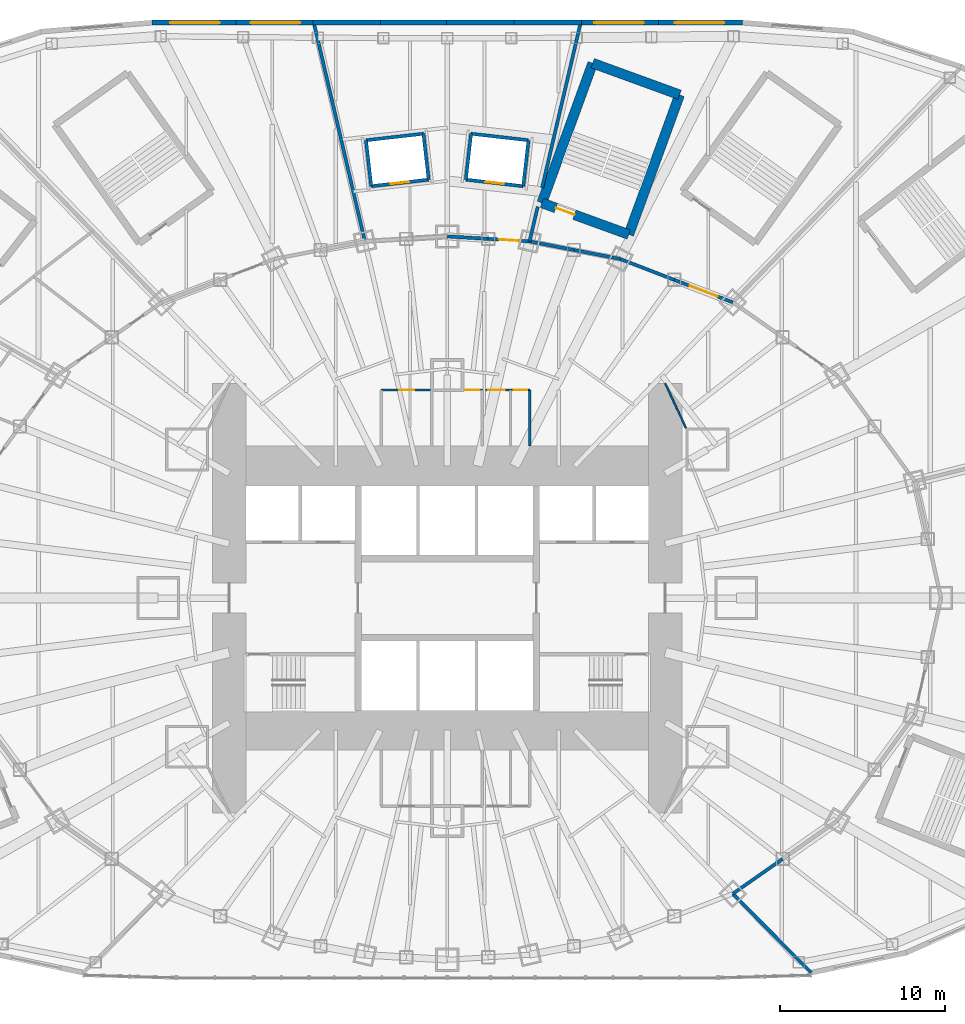
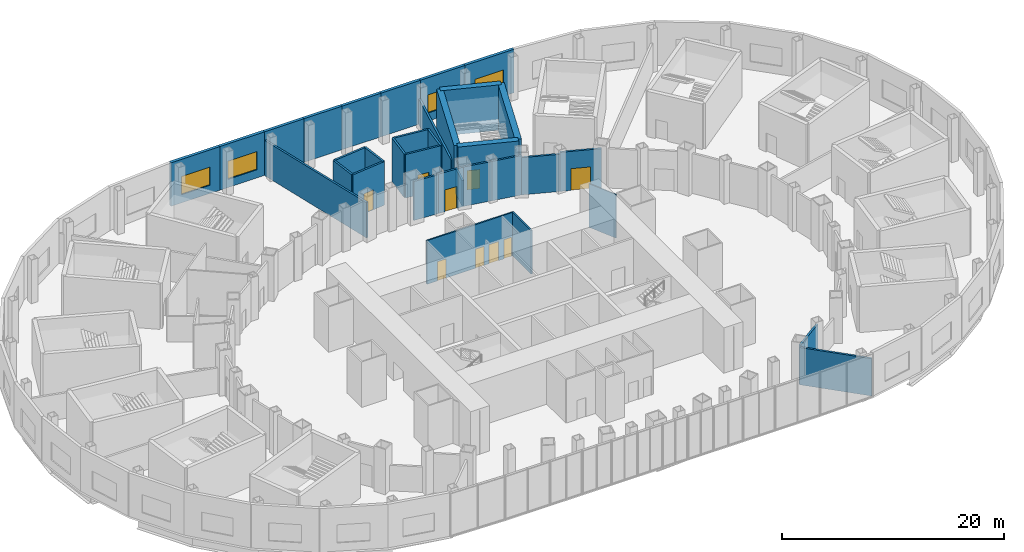
# One storey, part 16 of 73: 34 walls, 9 doors, 4 windows, 13 openings.
"""IFC4 building model written with IfcOpenShell, lengths in metres."""

from ifc_helpers import new_model, si_unit, direction, frame, frame_2d, origin, place, context, subcontext, project, spatial, rectangle, extrude, material, layer, layer_set, type_object, element, fill, save


model = new_model("IFC4")

# Units and contexts
model_context = context("Model", 3, precision=1e-05, world=origin(), true_north=direction((0.0, 1.0)))
body_context = subcontext(model_context, "Body", "Model", "MODEL_VIEW")
ifc_project = project(units=[si_unit("LENGTHUNIT", "METRE"), si_unit("AREAUNIT", "SQUARE_METRE"), si_unit("VOLUMEUNIT", "CUBIC_METRE"), si_unit("PLANEANGLEUNIT", "RADIAN"), si_unit("MASSUNIT", "GRAM", prefix="KILO")], contexts=[model_context])

# Site, building, storey
site_placement = place(None, origin())
site = spatial("IfcSite", under=ifc_project, at=site_placement, CompositionType="ELEMENT")
building_placement = place(site_placement, origin())
building = spatial("IfcBuilding", under=site, at=building_placement, Name="Lantaw Convention Tower", CompositionType="ELEMENT")
storey_placement = place(building_placement, frame((0.0, 0.0, 27.0)))
storey = spatial("IfcBuildingStorey", under=building, at=storey_placement, Name="L04", CompositionType="ELEMENT", Elevation=27.0)

# Walls
ifc_material_1 = material(Name="Concrete blockwork, fire rated", Category="masonry")
ifc_layer_1 = layer(ifc_material_1, 0.199951171875)
ifc_layer_set_1 = layer_set([ifc_layer_1], Name="Lift shaft wall 200 EI 120")
wall_type_1 = type_object("IfcWallType", Name="Lift shaft wall 200 EI 120", PredefinedType="SOLIDWALL", material=ifc_layer_set_1)
wall_1_placement = place(storey_placement, frame((4.602783203125, 24.939208984375, 0.0), z_axis=(0.0, 0.0, 1.0), x_axis=(0.113177712989, 0.993574760792, 0.0)))
element("IfcWall", 1, at=wall_1_placement, inside=storey, type_object=wall_type_1, Name="Lift shaft wall", PredefinedType="SOLIDWALL", context=body_context, shape_type="SweptSolid", body=[
    extrude(rectangle(XDim=2.800048828125, YDim=0.199951171875, at=frame_2d((1.39990234375, 0.0))), origin(), (0.0, 0.0, 1.0), 4.800048828125),
])
wall_2_placement = place(storey_placement, frame((4.919677734375, 27.72119140625, 0.0), z_axis=(0.0, 0.0, 1.0), x_axis=(-0.993571061716, 0.113210182053, 0.0)))
element("IfcWall", 2, at=wall_2_placement, inside=storey, type_object=wall_type_1, Name="Lift shaft wall", PredefinedType="SOLIDWALL", context=body_context, shape_type="SweptSolid", body=[
    extrude(rectangle(XDim=3.5, YDim=0.199951171875, at=frame_2d((1.75, 0.0))), origin(), (0.0, 0.0, 1.0), 4.800048828125),
])
wall_3_placement = place(storey_placement, frame((1.442138671875, 28.117431640625, 0.0), z_axis=(0.0, 0.0, 1.0), x_axis=(-0.113177712989, -0.993574760792, 0.0)))
element("IfcWall", 3, at=wall_3_placement, inside=storey, type_object=wall_type_1, Name="Lift shaft wall", PredefinedType="SOLIDWALL", context=body_context, shape_type="SweptSolid", body=[
    extrude(rectangle(XDim=2.800048828125, YDim=0.199951171875, at=frame_2d((1.39990234375, 0.0))), origin(), (0.0, 0.0, 1.0), 4.800048828125),
])

# Wall, opening, door
wall_4_placement = place(storey_placement, frame((1.125244140625, 25.33544921875, 0.0), z_axis=(0.0, 0.0, 1.0), x_axis=(0.993571061716, -0.113210182053, 0.0)))
wall_4 = element("IfcWall", 4, at=wall_4_placement, inside=storey, type_object=wall_type_1, Name="Lift shaft wall", PredefinedType="SOLIDWALL", context=body_context, shape_type="SweptSolid", body=[
    extrude(rectangle(XDim=3.5, YDim=0.199951171875, at=frame_2d((1.75, 0.0))), origin(), (0.0, 0.0, 1.0), 4.800048828125),
])
opening_1_placement = place(wall_4_placement, frame((1.199951171875, 0.0, 0.0)))
opening_1 = element("IfcOpeningElement", 5, at=opening_1_placement, cuts=wall_4, Name="Opening LDPL1", PredefinedType="OPENING", context=body_context, shape_type="SweptSolid", body=[
    extrude(rectangle(XDim=1.10009765625, YDim=2.199951171875, at=frame_2d((0.550048828125, 1.10009765625))), frame((0.0, 0.10986328125, 0.0), z_axis=(0.0, -1.0, 0.0), x_axis=(1.0, 0.0, 0.0)), (0.0, 0.0, 1.0), 0.219970703125),
])
ifc_material_2 = material(Name="Stainless steel", Category="steel")
door_type_1 = type_object("IfcDoorType", Name="Lift landing door 1100", OperationType="DOUBLE_DOOR_SLIDING", PredefinedType="DOOR", material=ifc_material_2)
door_1_placement = place(opening_1_placement, origin())
door_1 = element("IfcDoor", 6, at=door_1_placement, inside=storey, type_object=door_type_1, Name="Lift landing door PL1", OperationType="DOUBLE_DOOR_SLIDING", OverallHeight=2.199951171875, OverallWidth=1.10009765625, PredefinedType="DOOR", context=body_context, shape_type="SweptSolid", body=[
    extrude(rectangle(XDim=1.10009765625, YDim=2.199951171875, at=frame_2d((0.550048828125, 1.10009765625))), frame((0.0, 0.02490234375, 0.0), z_axis=(0.0, -1.0, 0.0), x_axis=(1.0, 0.0, 0.0)), (0.0, 0.0, 1.0), 0.050048828125),
])
fill(opening_1, door_1)

# Walls
wall_5_placement = place(storey_placement, frame((-1.125244140625, 25.33544921875, 0.0), z_axis=(0.0, 0.0, 1.0), x_axis=(-0.113177712989, 0.993574760792, 0.0)))
element("IfcWall", 7, at=wall_5_placement, inside=storey, type_object=wall_type_1, Name="Lift shaft wall", PredefinedType="SOLIDWALL", context=body_context, shape_type="SweptSolid", body=[
    extrude(rectangle(XDim=2.800048828125, YDim=0.199951171875, at=frame_2d((1.39990234375, 0.0))), origin(), (0.0, 0.0, 1.0), 4.800048828125),
])
wall_6_placement = place(storey_placement, frame((-1.442138671875, 28.117431640625, 0.0), z_axis=(0.0, 0.0, 1.0), x_axis=(-0.993571061716, -0.113210182053, 0.0)))
element("IfcWall", 8, at=wall_6_placement, inside=storey, type_object=wall_type_1, Name="Lift shaft wall", PredefinedType="SOLIDWALL", context=body_context, shape_type="SweptSolid", body=[
    extrude(rectangle(XDim=3.5, YDim=0.199951171875, at=frame_2d((1.75, 0.0))), origin(), (0.0, 0.0, 1.0), 4.800048828125),
])
wall_7_placement = place(storey_placement, frame((-4.919677734375, 27.72119140625, 0.0), z_axis=(0.0, 0.0, 1.0), x_axis=(0.113177712989, -0.993574760792, 0.0)))
element("IfcWall", 9, at=wall_7_placement, inside=storey, type_object=wall_type_1, Name="Lift shaft wall", PredefinedType="SOLIDWALL", context=body_context, shape_type="SweptSolid", body=[
    extrude(rectangle(XDim=2.800048828125, YDim=0.199951171875, at=frame_2d((1.39990234375, 0.0))), origin(), (0.0, 0.0, 1.0), 4.800048828125),
])

# Wall, opening, door
wall_8_placement = place(storey_placement, frame((-4.602783203125, 24.939208984375, 0.0), z_axis=(0.0, 0.0, 1.0), x_axis=(0.993571061716, 0.113210182053, 0.0)))
wall_8 = element("IfcWall", 10, at=wall_8_placement, inside=storey, type_object=wall_type_1, Name="Lift shaft wall", PredefinedType="SOLIDWALL", context=body_context, shape_type="SweptSolid", body=[
    extrude(rectangle(XDim=3.5, YDim=0.199951171875, at=frame_2d((1.75, 0.0))), origin(), (0.0, 0.0, 1.0), 4.800048828125),
])
opening_2_placement = place(wall_8_placement, frame((1.199951171875, 0.0, 0.0)))
opening_2 = element("IfcOpeningElement", 11, at=opening_2_placement, cuts=wall_8, Name="Opening LDPL2", PredefinedType="OPENING", context=body_context, shape_type="SweptSolid", body=[
    extrude(rectangle(XDim=1.10009765625, YDim=2.199951171875, at=frame_2d((0.550048828125, 1.10009765625))), frame((0.0, 0.10986328125, 0.0), z_axis=(0.0, -1.0, 0.0), x_axis=(1.0, 0.0, 0.0)), (0.0, 0.0, 1.0), 0.219970703125),
])
door_2_placement = place(opening_2_placement, origin())
door_2 = element("IfcDoor", 12, at=door_2_placement, inside=storey, type_object=door_type_1, Name="Lift landing door PL2", OperationType="DOUBLE_DOOR_SLIDING", OverallHeight=2.199951171875, OverallWidth=1.10009765625, PredefinedType="DOOR", context=body_context, shape_type="SweptSolid", body=[
    extrude(rectangle(XDim=1.10009765625, YDim=2.199951171875, at=frame_2d((0.550048828125, 1.10009765625))), frame((0.0, 0.02490234375, 0.0), z_axis=(0.0, -1.0, 0.0), x_axis=(1.0, 0.0, 0.0)), (0.0, 0.0, 1.0), 0.050048828125),
])
fill(opening_2, door_2)

# Wall
ifc_material_3 = material(Name="Gypsum board on steel studs, acoustic", Category="steel")
ifc_layer_2 = layer(ifc_material_3, 0.10009765625)
ifc_layer_set_2 = layer_set([ifc_layer_2], Name="Office partition 100")
wall_type_2 = type_object("IfcWallType", Name="Office partition 100", PredefinedType="PARTITIONING", material=ifc_layer_set_2)
wall_9_placement = place(storey_placement, frame((13.199951171875, 13.0, 0.0), z_axis=(0.0, 0.0, 1.0), x_axis=(0.420129824888, -0.907464010437, 0.0)))
element("IfcWall", 13, at=wall_9_placement, inside=storey, type_object=wall_type_2, Name="Office partition 100", PredefinedType="PARTITIONING", context=body_context, shape_type="SweptSolid", body=[
    extrude(rectangle(XDim=2.975341796875, YDim=0.10009765625, at=frame_2d((1.48779296875, 0.0))), origin(), (0.0, 0.0, 1.0), 4.800048828125),
])

# Wall, opening, window
ifc_material_4 = material(Name="Precast concrete panel, pale aluminium rainscreen", Category="concrete")
ifc_layer_3 = layer(ifc_material_4, 0.300048828125)
ifc_layer_set_3 = layer_set([ifc_layer_3], Name="Podium external wall 300")
wall_type_3 = type_object("IfcWallType", Name="Podium external wall 300", PredefinedType="SOLIDWALL", material=ifc_layer_set_3)
wall_10_placement = place(storey_placement, frame((17.873291015625, 34.85009765625, 0.0), z_axis=(0.0, 0.0, 1.0), x_axis=(-1.0, 0.0, 0.0)))
wall_10 = element("IfcWall", 14, at=wall_10_placement, inside=storey, type_object=wall_type_3, Name="Podium facade wall", PredefinedType="SOLIDWALL", context=body_context, shape_type="SweptSolid", body=[
    extrude(rectangle(XDim=5.17431640625, YDim=0.300048828125, at=frame_2d((2.587158203125, 0.0))), origin(), (0.0, 0.0, 1.0), 4.800048828125),
])
opening_3_placement = place(wall_10_placement, frame((1.087158203125, 0.0, 0.89990234375)))
opening_3 = element("IfcOpeningElement", 15, at=opening_3_placement, cuts=wall_10, Name="Opening W3", PredefinedType="OPENING", context=body_context, shape_type="SweptSolid", body=[
    extrude(rectangle(XDim=3.0, YDim=2.0, at=frame_2d((1.5, 1.0))), frame((0.0, 0.159912109375, 0.0), z_axis=(0.0, -1.0, 0.0), x_axis=(1.0, 0.0, 0.0)), (0.0, 0.0, 1.0), 0.320068359375),
])
ifc_material_5 = material(Name="Aluminium frame, clear insulating glass", Category="aluminium")
window_type = type_object("IfcWindowType", Name="Podium window 3000x2000", PartitioningType="DOUBLE_PANEL_VERTICAL", PredefinedType="WINDOW", material=ifc_material_5)
window_1_placement = place(opening_3_placement, origin())
window_1 = element("IfcWindow", 16, at=window_1_placement, inside=storey, type_object=window_type, Name="Podium window", OverallHeight=2.0, OverallWidth=3.0, PartitioningType="SINGLE_PANEL", PredefinedType="WINDOW", context=body_context, shape_type="SweptSolid", body=[
    extrude(rectangle(XDim=3.0, YDim=2.0, at=frame_2d((1.5, 1.0))), frame((0.0, 0.030029296875, 0.0), z_axis=(0.0, -1.0, 0.0), x_axis=(1.0, 0.0, 0.0)), (0.0, 0.0, 1.0), 0.06005859375),
])
fill(opening_3, window_1)

wall_11_placement = place(storey_placement, frame((12.779052734375, 34.85009765625, 0.0), z_axis=(0.0, 0.0, 1.0), x_axis=(-1.0, 0.0, 0.0)))
wall_11 = element("IfcWall", 17, at=wall_11_placement, inside=storey, type_object=wall_type_3, Name="Podium facade wall", PredefinedType="SOLIDWALL", context=body_context, shape_type="SweptSolid", body=[
    extrude(rectangle(XDim=4.73876953125, YDim=0.300048828125, at=frame_2d((2.369384765625, 0.0))), origin(), (0.0, 0.0, 1.0), 4.800048828125),
])
opening_4_placement = place(wall_11_placement, frame((0.869384765625, 0.0, 0.89990234375)))
opening_4 = element("IfcOpeningElement", 18, at=opening_4_placement, cuts=wall_11, Name="Opening W3", PredefinedType="OPENING", context=body_context, shape_type="SweptSolid", body=[
    extrude(rectangle(XDim=3.0, YDim=2.0, at=frame_2d((1.5, 1.0))), frame((0.0, 0.159912109375, 0.0), z_axis=(0.0, -1.0, 0.0), x_axis=(1.0, 0.0, 0.0)), (0.0, 0.0, 1.0), 0.320068359375),
])
window_2_placement = place(opening_4_placement, origin())
window_2 = element("IfcWindow", 19, at=window_2_placement, inside=storey, type_object=window_type, Name="Podium window", OverallHeight=2.0, OverallWidth=3.0, PartitioningType="SINGLE_PANEL", PredefinedType="WINDOW", context=body_context, shape_type="SweptSolid", body=[
    extrude(rectangle(XDim=3.0, YDim=2.0, at=frame_2d((1.5, 1.0))), frame((0.0, 0.030029296875, 0.0), z_axis=(0.0, -1.0, 0.0), x_axis=(1.0, 0.0, 0.0)), (0.0, 0.0, 1.0), 0.06005859375),
])
fill(opening_4, window_2)

# Walls
wall_12_placement = place(storey_placement, frame((8.120361328125, 34.85009765625, 0.0), z_axis=(0.0, 0.0, 1.0), x_axis=(-1.0, 0.0, 0.0)))
element("IfcWall", 20, at=wall_12_placement, inside=storey, type_object=wall_type_3, Name="Podium facade wall", PredefinedType="SOLIDWALL", context=body_context, shape_type="SweptSolid", body=[
    extrude(rectangle(XDim=4.172607421875, YDim=0.300048828125, at=frame_2d((2.08642578125, 0.0))), origin(), (0.0, 0.0, 1.0), 4.800048828125),
])
for number, where, z_axis, x_axis, name in (
    (21, (4.02783203125, 34.85009765625, 0.0), (0.0, 0.0, 1.0), (-1.0, 0.0, 0.0), "Podium facade wall"),
    (22, (0.0400390625, 34.85009765625, 0.0), (0.0, 0.0, 1.0), (-1.0, 0.0, 0.0), "Podium facade wall"),
):
    element("IfcWall", number, at=place(storey_placement, frame(where, z_axis=z_axis, x_axis=x_axis)), inside=storey, type_object=wall_type_3, Name=name, PredefinedType="SOLIDWALL", context=body_context, shape_type="SweptSolid", body=[
        extrude(rectangle(XDim=4.06787109375, YDim=0.300048828125, at=frame_2d((2.033935546875, 0.0))), origin(), (0.0, 0.0, 1.0), 4.800048828125),
    ])
wall_13_placement = place(storey_placement, frame((-3.94775390625, 34.85009765625, 0.0), z_axis=(0.0, 0.0, 1.0), x_axis=(-1.0, 0.0, 0.0)))
element("IfcWall", 23, at=wall_13_placement, inside=storey, type_object=wall_type_3, Name="Podium facade wall", PredefinedType="SOLIDWALL", context=body_context, shape_type="SweptSolid", body=[
    extrude(rectangle(XDim=4.172607421875, YDim=0.300048828125, at=frame_2d((2.08642578125, 0.0))), origin(), (0.0, 0.0, 1.0), 4.800048828125),
])

# Wall, opening, window
wall_14_placement = place(storey_placement, frame((-8.040283203125, 34.85009765625, 0.0), z_axis=(0.0, 0.0, 1.0), x_axis=(-1.0, 0.0, 0.0)))
wall_14 = element("IfcWall", 24, at=wall_14_placement, inside=storey, type_object=wall_type_3, Name="Podium facade wall", PredefinedType="SOLIDWALL", context=body_context, shape_type="SweptSolid", body=[
    extrude(rectangle(XDim=4.73876953125, YDim=0.300048828125, at=frame_2d((2.369384765625, 0.0))), origin(), (0.0, 0.0, 1.0), 4.800048828125),
])
opening_5_placement = place(wall_14_placement, frame((0.869384765625, 0.0, 0.89990234375)))
opening_5 = element("IfcOpeningElement", 25, at=opening_5_placement, cuts=wall_14, Name="Opening W3", PredefinedType="OPENING", context=body_context, shape_type="SweptSolid", body=[
    extrude(rectangle(XDim=3.0, YDim=2.0, at=frame_2d((1.5, 1.0))), frame((0.0, 0.159912109375, 0.0), z_axis=(0.0, -1.0, 0.0), x_axis=(1.0, 0.0, 0.0)), (0.0, 0.0, 1.0), 0.320068359375),
])
window_3_placement = place(opening_5_placement, origin())
window_3 = element("IfcWindow", 26, at=window_3_placement, inside=storey, type_object=window_type, Name="Podium window", OverallHeight=2.0, OverallWidth=3.0, PartitioningType="SINGLE_PANEL", PredefinedType="WINDOW", context=body_context, shape_type="SweptSolid", body=[
    extrude(rectangle(XDim=3.0, YDim=2.0, at=frame_2d((1.5, 1.0))), frame((0.0, 0.030029296875, 0.0), z_axis=(0.0, -1.0, 0.0), x_axis=(1.0, 0.0, 0.0)), (0.0, 0.0, 1.0), 0.06005859375),
])
fill(opening_5, window_3)

wall_15_placement = place(storey_placement, frame((-12.698974609375, 34.85009765625, 0.0), z_axis=(0.0, 0.0, 1.0), x_axis=(-1.0, 0.0, 0.0)))
wall_15 = element("IfcWall", 27, at=wall_15_placement, inside=storey, type_object=wall_type_3, Name="Podium facade wall", PredefinedType="SOLIDWALL", context=body_context, shape_type="SweptSolid", body=[
    extrude(rectangle(XDim=5.17431640625, YDim=0.300048828125, at=frame_2d((2.587158203125, 0.0))), origin(), (0.0, 0.0, 1.0), 4.800048828125),
])
opening_6_placement = place(wall_15_placement, frame((1.087158203125, 0.0, 0.89990234375)))
opening_6 = element("IfcOpeningElement", 28, at=opening_6_placement, cuts=wall_15, Name="Opening W3", PredefinedType="OPENING", context=body_context, shape_type="SweptSolid", body=[
    extrude(rectangle(XDim=3.0, YDim=2.0, at=frame_2d((1.5, 1.0))), frame((0.0, 0.159912109375, 0.0), z_axis=(0.0, -1.0, 0.0), x_axis=(1.0, 0.0, 0.0)), (0.0, 0.0, 1.0), 0.320068359375),
])
window_4_placement = place(opening_6_placement, origin())
window_4 = element("IfcWindow", 29, at=window_4_placement, inside=storey, type_object=window_type, Name="Podium window", OverallHeight=2.0, OverallWidth=3.0, PartitioningType="SINGLE_PANEL", PredefinedType="WINDOW", context=body_context, shape_type="SweptSolid", body=[
    extrude(rectangle(XDim=3.0, YDim=2.0, at=frame_2d((1.5, 1.0))), frame((0.0, 0.030029296875, 0.0), z_axis=(0.0, -1.0, 0.0), x_axis=(1.0, 0.0, 0.0)), (0.0, 0.0, 1.0), 0.06005859375),
])
fill(opening_6, window_4)

# Wall, opening, door
ifc_layer_4 = layer(ifc_material_1, 0.199951171875)
ifc_layer_set_4 = layer_set([ifc_layer_4], Name="Podium lobby wall 200 EI 120")
wall_type_4 = type_object("IfcWallType", Name="Podium lobby wall 200 EI 120", PredefinedType="SOLIDWALL", material=ifc_layer_set_4)
wall_16_placement = place(storey_placement, frame((4.986328125, 21.59814453125, 0.0), z_axis=(0.0, 0.0, 1.0), x_axis=(-0.998172405641, 0.060430527186, 0.0)))
wall_16 = element("IfcWall", 30, at=wall_16_placement, inside=storey, type_object=wall_type_4, Name="Podium lobby wall 200", PredefinedType="SOLIDWALL", context=body_context, shape_type="SweptSolid", body=[
    extrude(rectangle(XDim=2.512939453125, YDim=0.199951171875, at=frame_2d((1.25634765625, 0.0))), origin(), (0.0, 0.0, 1.0), 4.337646484375),
])
opening_7_placement = place(wall_16_placement, frame((0.639892578125, 0.0, 0.0)))
opening_7 = element("IfcOpeningElement", 31, at=opening_7_placement, cuts=wall_16, Name="Opening L04.14", PredefinedType="OPENING", context=body_context, shape_type="SweptSolid", body=[
    extrude(rectangle(XDim=1.199951171875, YDim=2.39990234375, at=frame_2d((0.60009765625, 1.199951171875))), frame((0.0, 0.10986328125, 0.0), z_axis=(0.0, -1.0, 0.0), x_axis=(1.0, 0.0, 0.0)), (0.0, 0.0, 1.0), 0.219970703125),
])
ifc_material_6 = material(Name="Steel, fire rated", Category="steel")
door_type_2 = type_object("IfcDoorType", Name="Lobby door 1200 FD90", OperationType="SINGLE_SWING_RIGHT", PredefinedType="DOOR", material=ifc_material_6)
door_3_placement = place(opening_7_placement, origin())
door_3 = element("IfcDoor", 32, at=door_3_placement, inside=storey, type_object=door_type_2, Name="Podium lift lobby door", OperationType="SINGLE_SWING_RIGHT", OverallHeight=2.39990234375, OverallWidth=1.199951171875, PredefinedType="DOOR", context=body_context, shape_type="SweptSolid", body=[
    extrude(rectangle(XDim=1.199951171875, YDim=2.39990234375, at=frame_2d((0.60009765625, 1.199951171875))), frame((0.0, 0.02490234375, 0.0), z_axis=(0.0, -1.0, 0.0), x_axis=(1.0, 0.0, 0.0)), (0.0, 0.0, 1.0), 0.050048828125),
])
fill(opening_7, door_3)

ifc_material_7 = material(Name="Concrete blockwork", Category="masonry")
ifc_layer_5 = layer(ifc_material_7, 0.199951171875)
ifc_layer_set_5 = layer_set([ifc_layer_5], Name="Podium partition 200")
wall_type_5 = type_object("IfcWallType", Name="Podium partition 200", PredefinedType="SOLIDWALL", material=ifc_layer_set_5)
wall_17_placement = place(storey_placement, frame((17.290771484375, 17.9052734375, 0.0), z_axis=(0.0, 0.0, 1.0), x_axis=(-0.933224646415, 0.359293416754, 0.0)))
wall_17 = element("IfcWall", 33, at=wall_17_placement, inside=storey, type_object=wall_type_5, Name="Podium partition 200", PredefinedType="SOLIDWALL", context=body_context, shape_type="SweptSolid", body=[
    extrude(rectangle(XDim=3.799072265625, YDim=0.199951171875, at=frame_2d((1.8994140625, 0.0))), origin(), (0.0, 0.0, 1.0), 4.30224609375),
])
opening_8_placement = place(wall_17_placement, frame((0.99951171875, 0.0, 0.0)))
opening_8 = element("IfcOpeningElement", 34, at=opening_8_placement, cuts=wall_17, Name="Opening L04.13", PredefinedType="OPENING", context=body_context, shape_type="SweptSolid", body=[
    extrude(rectangle(XDim=1.800048828125, YDim=2.39990234375, at=frame_2d((0.89990234375, 1.199951171875))), frame((0.0, 0.10986328125, 0.0), z_axis=(0.0, -1.0, 0.0), x_axis=(1.0, 0.0, 0.0)), (0.0, 0.0, 1.0), 0.219970703125),
])
ifc_material_8 = material(Name="Timber", Category="wood")
door_type_3 = type_object("IfcDoorType", Name="Hall double door 1800", OperationType="DOUBLE_DOOR_DOUBLE_SWING", PredefinedType="DOOR", material=ifc_material_8)
door_4_placement = place(opening_8_placement, origin())
door_4 = element("IfcDoor", 35, at=door_4_placement, inside=storey, type_object=door_type_3, Name="Staff canteen door", OperationType="DOUBLE_DOOR_DOUBLE_SWING", OverallHeight=2.39990234375, OverallWidth=1.800048828125, PredefinedType="DOOR", context=body_context, shape_type="SweptSolid", body=[
    extrude(rectangle(XDim=1.800048828125, YDim=2.39990234375, at=frame_2d((0.89990234375, 1.199951171875))), frame((0.0, 0.02490234375, 0.0), z_axis=(0.0, -1.0, 0.0), x_axis=(1.0, 0.0, 0.0)), (0.0, 0.0, 1.0), 0.050048828125),
])
fill(opening_8, door_4)

# Walls
wall_18_placement = place(storey_placement, frame((13.745361328125, 19.270263671875, 0.0), z_axis=(0.0, 0.0, 1.0), x_axis=(-0.933241815012, 0.359248820058, 0.0)))
element("IfcWall", 36, at=wall_18_placement, inside=storey, type_object=wall_type_5, Name="Podium partition 200", PredefinedType="SOLIDWALL", context=body_context, shape_type="SweptSolid", body=[
    extrude(rectangle(XDim=3.517578125, YDim=0.199951171875, at=frame_2d((1.7587890625, 0.0))), origin(), (0.0, 0.0, 1.0), 4.098876953125),
])
wall_19_placement = place(storey_placement, frame((10.462646484375, 20.533935546875, 0.0), z_axis=(0.0, 0.0, 1.0), x_axis=(-0.98163593748, 0.190763954266, 0.0)))
element("IfcWall", 37, at=wall_19_placement, inside=storey, type_object=wall_type_5, Name="Podium partition 200", PredefinedType="SOLIDWALL", context=body_context, shape_type="SweptSolid", body=[
    extrude(rectangle(XDim=2.84375, YDim=0.199951171875, at=frame_2d((1.421875, 0.0))), origin(), (0.0, 0.0, 1.0), 4.337646484375),
])
wall_20_placement = place(storey_placement, frame((7.671142578125, 21.076416015625, 0.0), z_axis=(0.0, 0.0, 1.0), x_axis=(-0.981637218105, 0.190757364289, 0.0)))
element("IfcWall", 38, at=wall_20_placement, inside=storey, type_object=wall_type_5, Name="Podium partition 200", PredefinedType="SOLIDWALL", context=body_context, shape_type="SweptSolid", body=[
    extrude(rectangle(XDim=2.735107421875, YDim=0.199951171875, at=frame_2d((1.36767578125, 0.0))), origin(), (0.0, 0.0, 1.0), 4.337646484375),
])
wall_21_placement = place(storey_placement, frame((2.47802734375, 21.75, 0.0), z_axis=(0.0, 0.0, 1.0), x_axis=(-0.998175328335, 0.060382231685, 0.0)))
element("IfcWall", 39, at=wall_21_placement, inside=storey, type_object=wall_type_5, Name="Podium partition 200", PredefinedType="SOLIDWALL", context=body_context, shape_type="SweptSolid", body=[
    extrude(rectangle(XDim=2.482666015625, YDim=0.199951171875, at=frame_2d((1.2412109375, 0.0))), origin(), (0.0, 0.0, 1.0), 4.30224609375),
])
wall_22_placement = place(storey_placement, frame((17.290771484375, -17.9052734375, 0.0), z_axis=(0.0, 0.0, 1.0), x_axis=(0.819431174801, 0.573177590075, 0.0)))
element("IfcWall", 40, at=wall_22_placement, inside=storey, type_object=wall_type_5, Name="Podium partition 200", PredefinedType="SOLIDWALL", context=body_context, shape_type="SweptSolid", body=[
    extrude(rectangle(XDim=3.68310546875, YDim=0.199951171875, at=frame_2d((1.841552734375, 0.0))), origin(), (0.0, 0.0, 1.0), 4.337646484375),
])
wall_23_placement = place(storey_placement, frame((4.986328125, 21.59814453125, 0.0), z_axis=(0.0, 0.0, 1.0), x_axis=(0.227351065365, 0.973812863479, 0.0)))
element("IfcWall", 41, at=wall_23_placement, inside=storey, type_object=wall_type_5, Name="Podium partition 200", PredefinedType="SOLIDWALL", context=body_context, shape_type="SweptSolid", body=[
    extrude(rectangle(XDim=2.16064453125, YDim=0.199951171875, at=frame_2d((1.080322265625, 0.0))), origin(), (0.0, 0.0, 1.0), 2.800048828125),
])
wall_24_placement = place(storey_placement, frame((5.745361328125, 24.848876953125, 0.0), z_axis=(0.0, 0.0, 1.0), x_axis=(0.227353607936, 0.973812269875, 0.0)))
element("IfcWall", 42, at=wall_24_placement, inside=storey, type_object=wall_type_5, Name="Podium partition 200", PredefinedType="SOLIDWALL", context=body_context, shape_type="SweptSolid", body=[
    extrude(rectangle(XDim=10.270263671875, YDim=0.199951171875, at=frame_2d((5.13525390625, 0.0))), origin(), (0.0, 0.0, 1.0), 2.800048828125),
])
wall_25_placement = place(storey_placement, frame((-4.986328125, 21.59814453125, 0.0), z_axis=(0.0, 0.0, 1.0), x_axis=(-0.227360055616, 0.973810764528, 0.0)))
element("IfcWall", 43, at=wall_25_placement, inside=storey, type_object=wall_type_5, Name="Podium partition 200", PredefinedType="SOLIDWALL", context=body_context, shape_type="SweptSolid", body=[
    extrude(rectangle(XDim=13.6083984375, YDim=0.199951171875, at=frame_2d((6.80419921875, 0.0))), origin(), (0.0, 0.0, 1.0), 3.8779296875),
])
wall_26_placement = place(storey_placement, frame((17.290771484375, -17.9052734375, 0.0), z_axis=(0.0, 0.0, 1.0), x_axis=(0.704348079756, -0.709854761585, 0.0)))
element("IfcWall", 44, at=wall_26_placement, inside=storey, type_object=wall_type_5, Name="Podium partition 200", PredefinedType="SOLIDWALL", context=body_context, shape_type="SweptSolid", body=[
    extrude(rectangle(XDim=6.739013671875, YDim=0.199951171875, at=frame_2d((3.36962890625, 0.0))), origin(), (0.0, 0.0, 1.0), 4.106689453125),
])
ifc_material_9 = material(Name="Concrete C40/50, stair core", Category="concrete")
ifc_layer_6 = layer(ifc_material_9, 0.60009765625)
ifc_layer_set_6 = layer_set([ifc_layer_6], Name="Stair enclosure wall 600 EI 120")
wall_type_6 = type_object("IfcWallType", Name="Stair enclosure wall 600 EI 120", PredefinedType="SHEAR", material=ifc_layer_set_6)
wall_27_placement = place(storey_placement, frame((10.9921875, 22.01416015625, 0.0), z_axis=(0.0, 0.0, 1.0), x_axis=(0.342013127703, 0.939695174234, 0.0)))
element("IfcWall", 45, at=wall_27_placement, inside=storey, type_object=wall_type_6, Name="Stair enclosure wall", PredefinedType="SHEAR", context=body_context, shape_type="SweptSolid", body=[
    extrude(rectangle(XDim=9.0, YDim=0.60009765625, at=frame_2d((4.5, 0.0))), origin(), (0.0, 0.0, 1.0), 5.0),
])
wall_28_placement = place(storey_placement, frame((14.0703125, 30.471435546875, 0.0), z_axis=(0.0, 0.0, 1.0), x_axis=(-0.939692822968, 0.342019587834, 0.0)))
element("IfcWall", 46, at=wall_28_placement, inside=storey, type_object=wall_type_6, Name="Stair enclosure wall", PredefinedType="SHEAR", context=body_context, shape_type="SweptSolid", body=[
    extrude(rectangle(XDim=5.599853515625, YDim=0.60009765625, at=frame_2d((2.7998046875, 0.0))), origin(), (0.0, 0.0, 1.0), 5.0),
])
wall_29_placement = place(storey_placement, frame((8.80810546875, 32.38671875, 0.0), z_axis=(0.0, 0.0, 1.0), x_axis=(-0.3420218461, -0.939692001025, 0.0)))
element("IfcWall", 47, at=wall_29_placement, inside=storey, type_object=wall_type_6, Name="Stair enclosure wall", PredefinedType="SHEAR", context=body_context, shape_type="SweptSolid", body=[
    extrude(rectangle(XDim=8.999755859375, YDim=0.60009765625, at=frame_2d((4.5, 0.0))), origin(), (0.0, 0.0, 1.0), 5.0),
])

# Wall, opening, door
wall_30_placement = place(storey_placement, frame((5.72998046875, 23.9296875, 0.0), z_axis=(0.0, 0.0, 1.0), x_axis=(0.939678810556, -0.342058084236, 0.0)))
wall_30 = element("IfcWall", 48, at=wall_30_placement, inside=storey, type_object=wall_type_6, Name="Stair enclosure wall", PredefinedType="SHEAR", context=body_context, shape_type="SweptSolid", body=[
    extrude(rectangle(XDim=5.60009765625, YDim=0.60009765625, at=frame_2d((2.800048828125, 0.0))), origin(), (0.0, 0.0, 1.0), 5.0),
])
opening_9_placement = place(wall_30_placement, frame((0.89990234375, 0.0, 0.0)))
opening_9 = element("IfcOpeningElement", 49, at=opening_9_placement, cuts=wall_30, Name="Opening L04.P5", PredefinedType="OPENING", context=body_context, shape_type="SweptSolid", body=[
    extrude(rectangle(XDim=1.199951171875, YDim=2.10009765625, at=frame_2d((0.60009765625, 1.050048828125))), frame((0.0, 0.31005859375, 0.0), z_axis=(0.0, -1.0, 0.0), x_axis=(1.0, 0.0, 0.0)), (0.0, 0.0, 1.0), 0.6201171875),
])
door_type_4 = type_object("IfcDoorType", Name="Stair door FD90", OperationType="SINGLE_SWING_RIGHT", PredefinedType="DOOR", material=ifc_material_6)
door_5_placement = place(opening_9_placement, origin())
door_5 = element("IfcDoor", 50, at=door_5_placement, inside=storey, type_object=door_type_4, Name="Exit stair door", OperationType="SINGLE_SWING_RIGHT", OverallHeight=2.10009765625, OverallWidth=1.199951171875, PredefinedType="DOOR", context=body_context, shape_type="SweptSolid", body=[
    extrude(rectangle(XDim=1.199951171875, YDim=2.10009765625, at=frame_2d((0.60009765625, 1.050048828125))), frame((0.0, 0.02490234375, 0.0), z_axis=(0.0, -1.0, 0.0), x_axis=(1.0, 0.0, 0.0)), (0.0, 0.0, 1.0), 0.050048828125),
])
fill(opening_9, door_5)

# Wall, openings, doors
ifc_layer_7 = layer(ifc_material_7, 0.14990234375)
ifc_layer_set_7 = layer_set([ifc_layer_7], Name="WC wall 150")
wall_type_7 = type_object("IfcWallType", Name="WC wall 150", PredefinedType="SOLIDWALL", material=ifc_layer_set_7)
wall_31_placement = place(storey_placement, frame((-4.0, 12.60009765625, 0.0), z_axis=(0.0, 0.0, 1.0), x_axis=(1.0, 0.0, 0.0)))
wall_31 = element("IfcWall", 51, at=wall_31_placement, inside=storey, type_object=wall_type_7, Name="WC wall 150", PredefinedType="SOLIDWALL", context=body_context, shape_type="SweptSolid", body=[
    extrude(rectangle(XDim=9.0, YDim=0.14990234375, at=frame_2d((4.5, 0.0))), origin(), (0.0, 0.0, 1.0), 4.800048828125),
])
opening_10_placement = place(wall_31_placement, frame((1.10009765625, 0.0, 0.0)))
opening_10 = element("IfcOpeningElement", 52, at=opening_10_placement, cuts=wall_31, Name="Opening L04.22", PredefinedType="OPENING", context=body_context, shape_type="SweptSolid", body=[
    extrude(rectangle(XDim=0.89990234375, YDim=2.10009765625, at=frame_2d((0.449951171875, 1.050048828125))), frame((0.0, 0.0849609375, 0.0), z_axis=(0.0, -1.0, 0.0), x_axis=(1.0, 0.0, 0.0)), (0.0, 0.0, 1.0), 0.169921875),
])
opening_11_placement = place(wall_31_placement, frame((5.06005859375, 0.0, 0.0)))
opening_11 = element("IfcOpeningElement", 53, at=opening_11_placement, cuts=wall_31, Name="Opening L04.23", PredefinedType="OPENING", context=body_context, shape_type="SweptSolid", body=[
    extrude(rectangle(XDim=0.89990234375, YDim=2.10009765625, at=frame_2d((0.449951171875, 1.050048828125))), frame((0.0, 0.0849609375, 0.0), z_axis=(0.0, -1.0, 0.0), x_axis=(1.0, 0.0, 0.0)), (0.0, 0.0, 1.0), 0.169921875),
])
opening_12_placement = place(wall_31_placement, frame((6.469970703125, 0.0, 0.0)))
opening_12 = element("IfcOpeningElement", 54, at=opening_12_placement, cuts=wall_31, Name="Opening L04.24", PredefinedType="OPENING", context=body_context, shape_type="SweptSolid", body=[
    extrude(rectangle(XDim=1.0, YDim=2.10009765625, at=frame_2d((0.5, 1.050048828125))), frame((0.0, 0.0849609375, 0.0), z_axis=(0.0, -1.0, 0.0), x_axis=(1.0, 0.0, 0.0)), (0.0, 0.0, 1.0), 0.169921875),
])
opening_13_placement = place(wall_31_placement, frame((8.030029296875, 0.0, 0.0)))
opening_13 = element("IfcOpeningElement", 55, at=opening_13_placement, cuts=wall_31, Name="Opening L04.25", PredefinedType="OPENING", context=body_context, shape_type="SweptSolid", body=[
    extrude(rectangle(XDim=0.800048828125, YDim=2.10009765625, at=frame_2d((0.39990234375, 1.050048828125))), frame((0.0, 0.0849609375, 0.0), z_axis=(0.0, -1.0, 0.0), x_axis=(1.0, 0.0, 0.0)), (0.0, 0.0, 1.0), 0.169921875),
])
door_type_5 = type_object("IfcDoorType", Name="Accessible WC door 1000", OperationType="SINGLE_SWING_LEFT", PredefinedType="DOOR", material=ifc_material_8)
door_6_placement = place(opening_12_placement, origin())
door_6 = element("IfcDoor", 56, at=door_6_placement, inside=storey, type_object=door_type_5, Name="Accessible WC door", OperationType="SINGLE_SWING_LEFT", OverallHeight=2.10009765625, OverallWidth=1.0, PredefinedType="DOOR", context=body_context, shape_type="SweptSolid", body=[
    extrude(rectangle(XDim=1.0, YDim=2.10009765625, at=frame_2d((0.5, 1.050048828125))), frame((0.0, 0.02490234375, 0.0), z_axis=(0.0, -1.0, 0.0), x_axis=(1.0, 0.0, 0.0)), (0.0, 0.0, 1.0), 0.050048828125),
])
fill(opening_12, door_6)
door_type_6 = type_object("IfcDoorType", Name="WC door 800", OperationType="SINGLE_SWING_LEFT", PredefinedType="DOOR", material=ifc_material_8)
door_7_placement = place(opening_13_placement, origin())
door_7 = element("IfcDoor", 57, at=door_7_placement, inside=storey, type_object=door_type_6, Name="Cleaner's store door", OperationType="SINGLE_SWING_LEFT", OverallHeight=2.10009765625, OverallWidth=0.800048828125, PredefinedType="DOOR", context=body_context, shape_type="SweptSolid", body=[
    extrude(rectangle(XDim=0.800048828125, YDim=2.10009765625, at=frame_2d((0.39990234375, 1.050048828125))), frame((0.0, 0.02490234375, 0.0), z_axis=(0.0, -1.0, 0.0), x_axis=(1.0, 0.0, 0.0)), (0.0, 0.0, 1.0), 0.050048828125),
])
fill(opening_13, door_7)
door_type_7 = type_object("IfcDoorType", Name="WC door 900", OperationType="SINGLE_SWING_LEFT", PredefinedType="DOOR", material=ifc_material_8)
door_8_placement = place(opening_10_placement, origin())
door_8 = element("IfcDoor", 58, at=door_8_placement, inside=storey, type_object=door_type_7, Name="Male WC door", OperationType="SINGLE_SWING_LEFT", OverallHeight=2.10009765625, OverallWidth=0.89990234375, PredefinedType="DOOR", context=body_context, shape_type="SweptSolid", body=[
    extrude(rectangle(XDim=0.89990234375, YDim=2.10009765625, at=frame_2d((0.449951171875, 1.050048828125))), frame((0.0, 0.02490234375, 0.0), z_axis=(0.0, -1.0, 0.0), x_axis=(1.0, 0.0, 0.0)), (0.0, 0.0, 1.0), 0.050048828125),
])
fill(opening_10, door_8)
door_9_placement = place(opening_11_placement, origin())
door_9 = element("IfcDoor", 59, at=door_9_placement, inside=storey, type_object=door_type_7, Name="Female WC door", OperationType="SINGLE_SWING_LEFT", OverallHeight=2.10009765625, OverallWidth=0.89990234375, PredefinedType="DOOR", context=body_context, shape_type="SweptSolid", body=[
    extrude(rectangle(XDim=0.89990234375, YDim=2.10009765625, at=frame_2d((0.449951171875, 1.050048828125))), frame((0.0, 0.02490234375, 0.0), z_axis=(0.0, -1.0, 0.0), x_axis=(1.0, 0.0, 0.0)), (0.0, 0.0, 1.0), 0.050048828125),
])
fill(opening_11, door_9)

# Wall
wall_32_placement = place(storey_placement, frame((5.0, 9.199951171875, 0.0), z_axis=(0.0, 0.0, 1.0), x_axis=(0.0, 1.0, 0.0)))
element("IfcWall", 60, at=wall_32_placement, inside=storey, type_object=wall_type_7, Name="WC wall 150", PredefinedType="SOLIDWALL", context=body_context, shape_type="SweptSolid", body=[
    extrude(rectangle(XDim=3.400146484375, YDim=0.14990234375, at=frame_2d((1.7001953125, 0.0))), origin(), (0.0, 0.0, 1.0), 4.800048828125),
])

save(model, "model.ifc")
